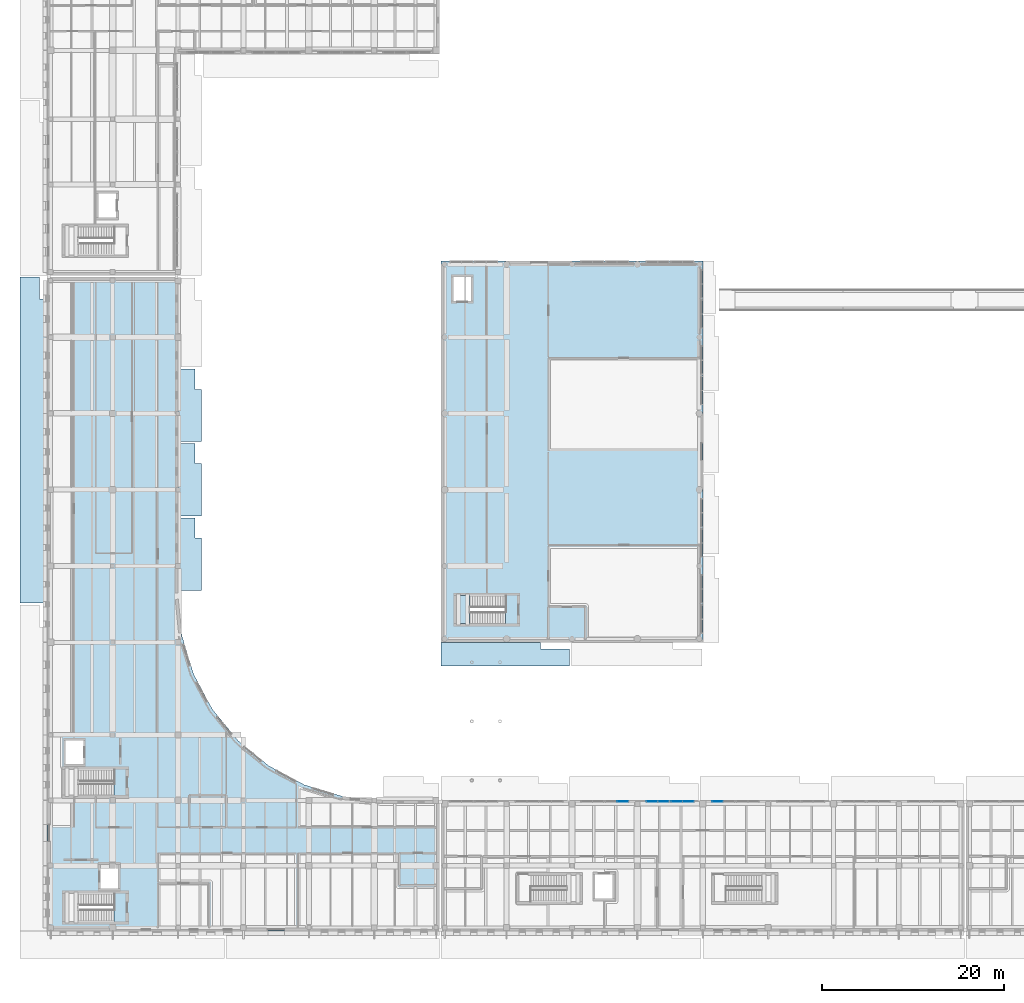
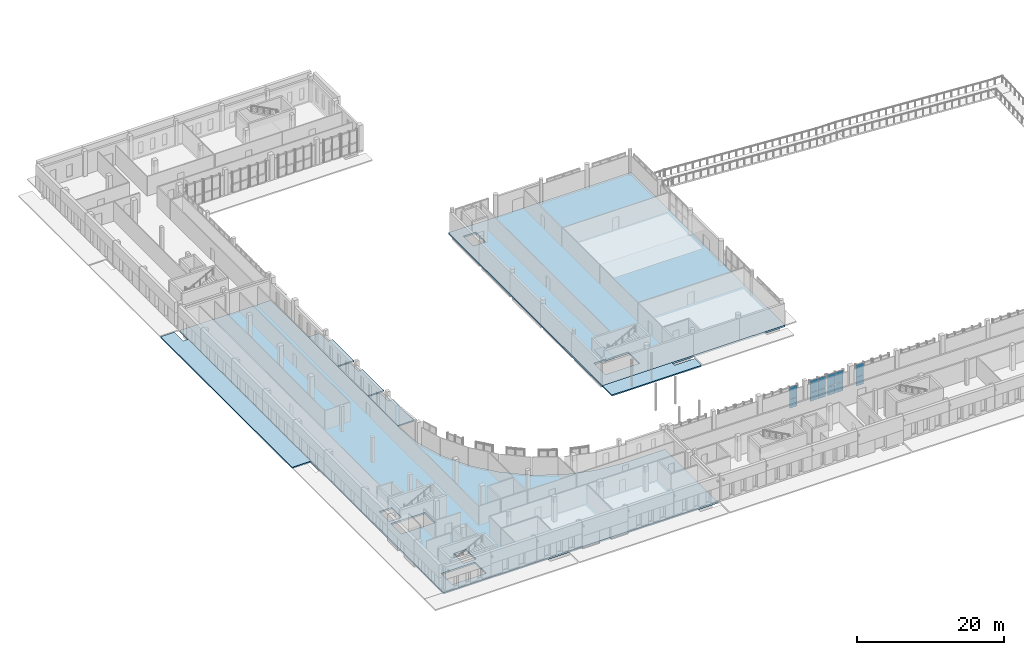
# One storey, part 39 of 77: 12 plates, 8 slabs, 5 elements without a shape of their own.
"""IFC4 building model written with IfcOpenShell, lengths in metres."""

from ifc_helpers import new_model, si_unit, direction, frame, origin, origin_2d, place, context, subcontext, project, spatial, polyline, rectangle, outline, extrude, material, layer, layer_set, type_object, element, aggregate, save


model = new_model("IFC4")

# Units and contexts
model_context = context("Model", 3, precision=1e-05, world=origin(), true_north=direction((0.0, 1.0)))
body_context = subcontext(model_context, "Body", "Model", "MODEL_VIEW")
ifc_project = project(units=[si_unit("LENGTHUNIT", "METRE"), si_unit("AREAUNIT", "SQUARE_METRE"), si_unit("VOLUMEUNIT", "CUBIC_METRE"), si_unit("PLANEANGLEUNIT", "RADIAN"), si_unit("MASSUNIT", "GRAM", prefix="KILO")], contexts=[model_context])

# Site, building, storey
site_placement = place(None, origin())
site = spatial("IfcSite", under=ifc_project, at=site_placement, CompositionType="ELEMENT")
building_placement = place(site_placement, origin())
building = spatial("IfcBuilding", under=site, at=building_placement, Name="Vardoun Plaza Health Centre", CompositionType="ELEMENT")
storey_placement = place(building_placement, origin())
storey = spatial("IfcBuildingStorey", under=building, at=storey_placement, Name="L00", CompositionType="ELEMENT", Elevation=0.0)

# Curtain wall, plates
ifc_material_1 = material(Name="Aluminium Alloy EN AW-6063-T6 and Low-E Glass", Category="aluminium")
ifc_layer_1 = layer(ifc_material_1, 0.14990234375)
ifc_layer_set_1 = layer_set([ifc_layer_1], Name="Aluminium Alloy EN AW-6063-T6 and Low-E Glass")
curtain_wall_type = type_object("IfcCurtainWallType", Name="CW-03", PredefinedType="NOTDEFINED", material=ifc_layer_set_1)
curtain_wall_1_placement = place(storey_placement, origin())
curtain_wall_1 = element("IfcCurtainWall", 1, at=curtain_wall_1_placement, inside=storey, type_object=curtain_wall_type, Name="Curtain Wall CW-V4-106", PredefinedType="NOTDEFINED")
ifc_material_2 = material(Name="Solar-Control Double Low-E Glazing", Category="glass")
ifc_layer_2 = layer(ifc_material_2, 0.028076171875)
ifc_layer_set_2 = layer_set([ifc_layer_2], Name="Solar-Control Double Low-E Glazing")
plate_type = type_object("IfcPlateType", Name="CW-P1", PredefinedType="CURTAIN_PANEL", material=ifc_layer_set_2)
plate_1_placement = place(storey_placement, frame((67.864990234375, 18.780029296875, 0.06005859375), z_axis=(0.0, 0.0, 1.0), x_axis=(1.0, 0.0, 0.0)))
plate_1 = element("IfcPlate", 2, at=plate_1_placement, type_object=plate_type, Name="CW-V4-106 panel 2.1", PredefinedType="CURTAIN_PANEL", context=body_context, shape_type="SweptSolid", body=[
    extrude(rectangle(XDim=1.18994140625, YDim=0.028076171875, at=origin_2d()), origin(), (0.0, 0.0, 1.0), 1.430419921875),
])
plate_2_placement = place(storey_placement, frame((67.864990234375, 18.780029296875, 1.55029296875), z_axis=(0.0, 0.0, 1.0), x_axis=(1.0, 0.0, 0.0)))
plate_2 = element("IfcPlate", 3, at=plate_2_placement, type_object=plate_type, Name="CW-V4-106 panel 2.2", PredefinedType="CURTAIN_PANEL", context=body_context, shape_type="SweptSolid", body=[
    extrude(rectangle(XDim=1.18994140625, YDim=0.028076171875, at=origin_2d()), origin(), (0.0, 0.0, 1.0), 2.009521484375),
])
aggregate(curtain_wall_1, [plate_1, plate_2])

curtain_wall_2_placement = place(storey_placement, origin())
curtain_wall_2 = element("IfcCurtainWall", 4, at=curtain_wall_2_placement, inside=storey, type_object=curtain_wall_type, Name="Curtain Wall CW-V4-107", PredefinedType="NOTDEFINED")
plate_3_placement = place(storey_placement, frame((71.094970703125, 18.780029296875, 0.06005859375), z_axis=(0.0, 0.0, 1.0), x_axis=(1.0, 0.0, 0.0)))
plate_3 = element("IfcPlate", 5, at=plate_3_placement, type_object=plate_type, Name="CW-V4-107 panel 1.1", PredefinedType="CURTAIN_PANEL", context=body_context, shape_type="SweptSolid", body=[
    extrude(rectangle(XDim=1.18994140625, YDim=0.028076171875, at=origin_2d()), origin(), (0.0, 0.0, 1.0), 1.409423828125),
])
plate_4_placement = place(storey_placement, frame((71.094970703125, 18.780029296875, 1.529296875), z_axis=(0.0, 0.0, 1.0), x_axis=(1.0, 0.0, 0.0)))
plate_4 = element("IfcPlate", 6, at=plate_4_placement, type_object=plate_type, Name="CW-V4-107 panel 1.2", PredefinedType="CURTAIN_PANEL", context=body_context, shape_type="SweptSolid", body=[
    extrude(rectangle(XDim=1.18994140625, YDim=0.028076171875, at=origin_2d()), origin(), (0.0, 0.0, 1.0), 1.980712890625),
])
plate_5_placement = place(storey_placement, frame((72.344970703125, 18.780029296875, 0.06005859375), z_axis=(0.0, 0.0, 1.0), x_axis=(1.0, 0.0, 0.0)))
plate_5 = element("IfcPlate", 7, at=plate_5_placement, type_object=plate_type, Name="CW-V4-107 panel 2.1", PredefinedType="CURTAIN_PANEL", context=body_context, shape_type="SweptSolid", body=[
    extrude(rectangle(XDim=1.18994140625, YDim=0.028076171875, at=origin_2d()), origin(), (0.0, 0.0, 1.0), 1.409423828125),
])
plate_6_placement = place(storey_placement, frame((72.344970703125, 18.780029296875, 1.529296875), z_axis=(0.0, 0.0, 1.0), x_axis=(1.0, 0.0, 0.0)))
plate_6 = element("IfcPlate", 8, at=plate_6_placement, type_object=plate_type, Name="CW-V4-107 panel 2.2", PredefinedType="CURTAIN_PANEL", context=body_context, shape_type="SweptSolid", body=[
    extrude(rectangle(XDim=1.18994140625, YDim=0.028076171875, at=origin_2d()), origin(), (0.0, 0.0, 1.0), 1.980712890625),
])
aggregate(curtain_wall_2, [plate_3, plate_4, plate_5, plate_6])

curtain_wall_3_placement = place(storey_placement, origin())
curtain_wall_3 = element("IfcCurtainWall", 9, at=curtain_wall_3_placement, inside=storey, type_object=curtain_wall_type, Name="Curtain Wall CW-V4-108", PredefinedType="NOTDEFINED")
plate_7_placement = place(storey_placement, frame((73.81494140625, 18.780029296875, 0.06005859375), z_axis=(0.0, 0.0, 1.0), x_axis=(1.0, 0.0, 0.0)))
plate_7 = element("IfcPlate", 10, at=plate_7_placement, type_object=plate_type, Name="CW-V4-108 panel 1.1", PredefinedType="CURTAIN_PANEL", context=body_context, shape_type="SweptSolid", body=[
    extrude(rectangle(XDim=1.18994140625, YDim=0.028076171875, at=origin_2d()), origin(), (0.0, 0.0, 1.0), 1.409423828125),
])
plate_8_placement = place(storey_placement, frame((73.81494140625, 18.780029296875, 1.529296875), z_axis=(0.0, 0.0, 1.0), x_axis=(1.0, 0.0, 0.0)))
plate_8 = element("IfcPlate", 11, at=plate_8_placement, type_object=plate_type, Name="CW-V4-108 panel 1.2", PredefinedType="CURTAIN_PANEL", context=body_context, shape_type="SweptSolid", body=[
    extrude(rectangle(XDim=1.18994140625, YDim=0.028076171875, at=origin_2d()), origin(), (0.0, 0.0, 1.0), 1.980712890625),
])
plate_9_placement = place(storey_placement, frame((75.06494140625, 18.780029296875, 0.06005859375), z_axis=(0.0, 0.0, 1.0), x_axis=(1.0, 0.0, 0.0)))
plate_9 = element("IfcPlate", 12, at=plate_9_placement, type_object=plate_type, Name="CW-V4-108 panel 2.1", PredefinedType="CURTAIN_PANEL", context=body_context, shape_type="SweptSolid", body=[
    extrude(rectangle(XDim=1.18994140625, YDim=0.028076171875, at=origin_2d()), origin(), (0.0, 0.0, 1.0), 1.409423828125),
])
plate_10_placement = place(storey_placement, frame((75.06494140625, 18.780029296875, 1.529296875), z_axis=(0.0, 0.0, 1.0), x_axis=(1.0, 0.0, 0.0)))
plate_10 = element("IfcPlate", 13, at=plate_10_placement, type_object=plate_type, Name="CW-V4-108 panel 2.2", PredefinedType="CURTAIN_PANEL", context=body_context, shape_type="SweptSolid", body=[
    extrude(rectangle(XDim=1.18994140625, YDim=0.028076171875, at=origin_2d()), origin(), (0.0, 0.0, 1.0), 1.980712890625),
])
aggregate(curtain_wall_3, [plate_7, plate_8, plate_9, plate_10])

curtain_wall_4_placement = place(storey_placement, origin())
curtain_wall_4 = element("IfcCurtainWall", 14, at=curtain_wall_4_placement, inside=storey, type_object=curtain_wall_type, Name="Curtain Wall CW-V4-109", PredefinedType="NOTDEFINED")
plate_11_placement = place(storey_placement, frame((78.294921875, 18.780029296875, 0.06005859375), z_axis=(0.0, 0.0, 1.0), x_axis=(1.0, 0.0, 0.0)))
plate_11 = element("IfcPlate", 15, at=plate_11_placement, type_object=plate_type, Name="CW-V4-109 panel 1.1", PredefinedType="CURTAIN_PANEL", context=body_context, shape_type="SweptSolid", body=[
    extrude(rectangle(XDim=1.18994140625, YDim=0.028076171875, at=origin_2d()), origin(), (0.0, 0.0, 1.0), 1.451416015625),
])
plate_12_placement = place(storey_placement, frame((78.294921875, 18.780029296875, 1.571533203125), z_axis=(0.0, 0.0, 1.0), x_axis=(1.0, 0.0, 0.0)))
plate_12 = element("IfcPlate", 16, at=plate_12_placement, type_object=plate_type, Name="CW-V4-109 panel 1.2", PredefinedType="CURTAIN_PANEL", context=body_context, shape_type="SweptSolid", body=[
    extrude(rectangle(XDim=1.18994140625, YDim=0.028076171875, at=origin_2d()), origin(), (0.0, 0.0, 1.0), 2.03857421875),
])
aggregate(curtain_wall_4, [plate_11, plate_12])

# Stair, slab
ifc_material_3 = material(Name="Concrete C35/45", Category="concrete")
stair_type = type_object("IfcStairType", Name="ST-01", PredefinedType="HALF_TURN_STAIR", material=ifc_material_3)
stair_placement = place(storey_placement, origin())
stair = element("IfcStair", 17, at=stair_placement, inside=storey, type_object=stair_type, Name="Core C5 L00 Exit Stair ST-C5-L00", PredefinedType="HALF_TURN_STAIR")
ifc_material_4 = material(Name="Concrete C35/45", Category="concrete")
ifc_layer_3 = layer(ifc_material_4, 0.199951171875)
ifc_layer_set_3 = layer_set([ifc_layer_3], Name="Concrete C35/45")
slab_type_1 = type_object("IfcSlabType", Name="SL-LD", PredefinedType="LANDING", material=ifc_layer_set_3)
slab_1_placement = place(storey_placement, frame((0.0, 0.0, 2.050048828125)))
slab_1 = element("IfcSlab", 18, at=slab_1_placement, type_object=slab_type_1, Name="ST-C5-L00 landing 1", PredefinedType="LANDING", context=body_context, shape_type="SweptSolid", body=[
    extrude(outline(polyline([(49.550048828125, 38.35009765625), (51.030517578125, 38.35009765625), (51.030517578125, 41.449951171875), (49.550048828125, 41.449951171875), (49.550048828125, 38.35009765625)])), origin(), (0.0, 0.0, 1.0), 0.199951171875),
])
aggregate(stair, [slab_1])

# Slabs
ifc_material_5 = material(Name="Concrete C35/45", Category="concrete")
ifc_layer_4 = layer(ifc_material_5, 0.280029296875)
ifc_layer_set_4 = layer_set([ifc_layer_4], Name="Concrete C35/45")
slab_type_2 = type_object("IfcSlabType", Name="SL-03", PredefinedType="FLOOR", material=ifc_layer_set_4)
slab_2_placement = place(storey_placement, frame((0.0, 0.0, -0.280029296875)))
element("IfcSlab", 19, at=slab_2_placement, inside=storey, type_object=slab_type_2, Name="V1 L00 Structural Slab", PredefinedType="FLOOR", context=body_context, shape_type="SweptSolid", body=[
    extrude(outline(polyline([(47.8798828125, 36.300048828125), (76.679931640625, 36.300048828125), (76.679931640625, 78.300048828125), (47.8798828125, 78.300048828125), (47.8798828125, 36.300048828125)]), holes=[polyline([(49.550048828125, 38.35009765625), (54.949462890625, 38.35009765625), (54.949462890625, 41.449951171875), (49.550048828125, 41.449951171875), (49.550048828125, 38.35009765625)]), polyline([(49.219970703125, 73.8701171875), (51.179931640625, 73.8701171875), (51.179931640625, 76.530029296875), (49.219970703125, 76.530029296875), (49.219970703125, 73.8701171875)])]), origin(), (0.0, 0.0, 1.0), 0.280029296875),
])
slab_3_placement = place(storey_placement, frame((0.0, 0.0, -0.280029296875)))
element("IfcSlab", 20, at=slab_3_placement, inside=storey, type_object=slab_type_2, Name="V2 L00 Structural Slab", PredefinedType="FLOOR", context=body_context, shape_type="SweptSolid", body=[
    extrude(outline(polyline([(4.5, 4.5), (47.699951171875, 4.5), (47.699951171875, 18.89990234375), (41.39990234375, 18.89990234375), (37.010498046875, 19.332275390625), (32.78955078125, 20.61279296875), (28.899658203125, 22.69189453125), (25.489990234375, 25.489990234375), (22.69189453125, 28.899658203125), (20.61279296875, 32.78955078125), (19.332275390625, 37.010498046875), (18.89990234375, 41.39990234375), (18.89990234375, 76.5), (4.5, 76.5), (4.5, 4.5)]), holes=[polyline([(6.47509765625, 5.574951171875), (11.849365234375, 5.574951171875), (11.849365234375, 8.625), (6.47509765625, 8.625), (6.47509765625, 5.574951171875)]), polyline([(10.3701171875, 9.169921875), (12.330078125, 9.169921875), (12.330078125, 11.830078125), (10.3701171875, 11.830078125), (10.3701171875, 9.169921875)]), polyline([(6.47509765625, 19.47509765625), (11.849365234375, 19.47509765625), (11.849365234375, 22.27490234375), (6.47509765625, 22.27490234375), (6.47509765625, 19.47509765625)]), polyline([(6.52001953125, 22.8701171875), (8.47998046875, 22.8701171875), (8.47998046875, 25.530029296875), (6.52001953125, 25.530029296875), (6.52001953125, 22.8701171875)])]), origin(), (0.0, 0.0, 1.0), 0.280029296875),
])
ifc_material_6 = material(Name="Pale Limestone Concrete C35/45", Category="masonry")
ifc_layer_5 = layer(ifc_material_6, 0.169921875)
ifc_layer_set_5 = layer_set([ifc_layer_5], Name="Pale Limestone Concrete C35/45")
slab_type_3 = type_object("IfcSlabType", Name="SL-T2", PredefinedType="USERDEFINED", material=ifc_layer_set_5)
slab_4_placement = place(storey_placement, frame((0.0, 0.0, -0.199951171875)))
element("IfcSlab", 21, at=slab_4_placement, inside=storey, type_object=slab_type_3, Name="Ground Plaza Paving Apron PZ-W2", ObjectType="PAVING", PredefinedType="USERDEFINED", context=body_context, shape_type="SweptSolid", body=[
    extrude(outline(polyline([(1.5, 40.60009765625), (4.5, 40.60009765625), (4.5, 74.10009765625), (3.659912109375, 74.10009765625), (3.659912109375, 76.5), (1.5, 76.5), (1.5, 40.60009765625)])), origin(), (0.0, 0.0, 1.0), 0.199951171875),
])
slab_5_placement = place(storey_placement, frame((0.0, 0.0, -0.199951171875)))
element("IfcSlab", 22, at=slab_5_placement, inside=storey, type_object=slab_type_3, Name="Ground Plaza Paving Apron PZ-C01", ObjectType="PAVING", PredefinedType="USERDEFINED", context=body_context, shape_type="SweptSolid", body=[
    extrude(outline(polyline([(18.89990234375, 42.0), (21.5, 42.0), (21.5, 47.760009765625), (20.77197265625, 47.760009765625), (20.77197265625, 50.0), (18.89990234375, 50.0), (18.89990234375, 42.0)])), origin(), (0.0, 0.0, 1.0), 0.199951171875),
])
slab_6_placement = place(storey_placement, frame((0.0, 0.0, -0.199951171875)))
element("IfcSlab", 23, at=slab_6_placement, inside=storey, type_object=slab_type_3, Name="Ground Plaza Paving Apron PZ-C02", ObjectType="PAVING", PredefinedType="USERDEFINED", context=body_context, shape_type="SweptSolid", body=[
    extrude(outline(polyline([(18.89990234375, 50.199951171875), (21.5, 50.199951171875), (21.5, 55.9599609375), (20.77197265625, 55.9599609375), (20.77197265625, 58.199951171875), (18.89990234375, 58.199951171875), (18.89990234375, 50.199951171875)])), origin(), (0.0, 0.0, 1.0), 0.199951171875),
])
slab_7_placement = place(storey_placement, frame((0.0, 0.0, -0.199951171875)))
element("IfcSlab", 24, at=slab_7_placement, inside=storey, type_object=slab_type_3, Name="Ground Plaza Paving Apron PZ-C03", ObjectType="PAVING", PredefinedType="USERDEFINED", context=body_context, shape_type="SweptSolid", body=[
    extrude(outline(polyline([(18.89990234375, 58.39990234375), (21.5, 58.39990234375), (21.5, 64.159912109375), (20.77197265625, 64.159912109375), (20.77197265625, 66.39990234375), (18.89990234375, 66.39990234375), (18.89990234375, 58.39990234375)])), origin(), (0.0, 0.0, 1.0), 0.199951171875),
])
slab_8_placement = place(storey_placement, frame((0.0, 0.0, -0.199951171875)))
element("IfcSlab", 25, at=slab_8_placement, inside=storey, type_object=slab_type_3, Name="Ground Plaza Paving Apron PZ-C10", ObjectType="PAVING", PredefinedType="USERDEFINED", context=body_context, shape_type="SweptSolid", body=[
    extrude(outline(polyline([(47.8798828125, 33.699951171875), (62.0, 33.699951171875), (62.0, 35.572021484375), (58.800048828125, 35.572021484375), (58.800048828125, 36.300048828125), (47.8798828125, 36.300048828125), (47.8798828125, 33.699951171875)])), origin(), (0.0, 0.0, 1.0), 0.199951171875),
])

save(model, "model.ifc")
